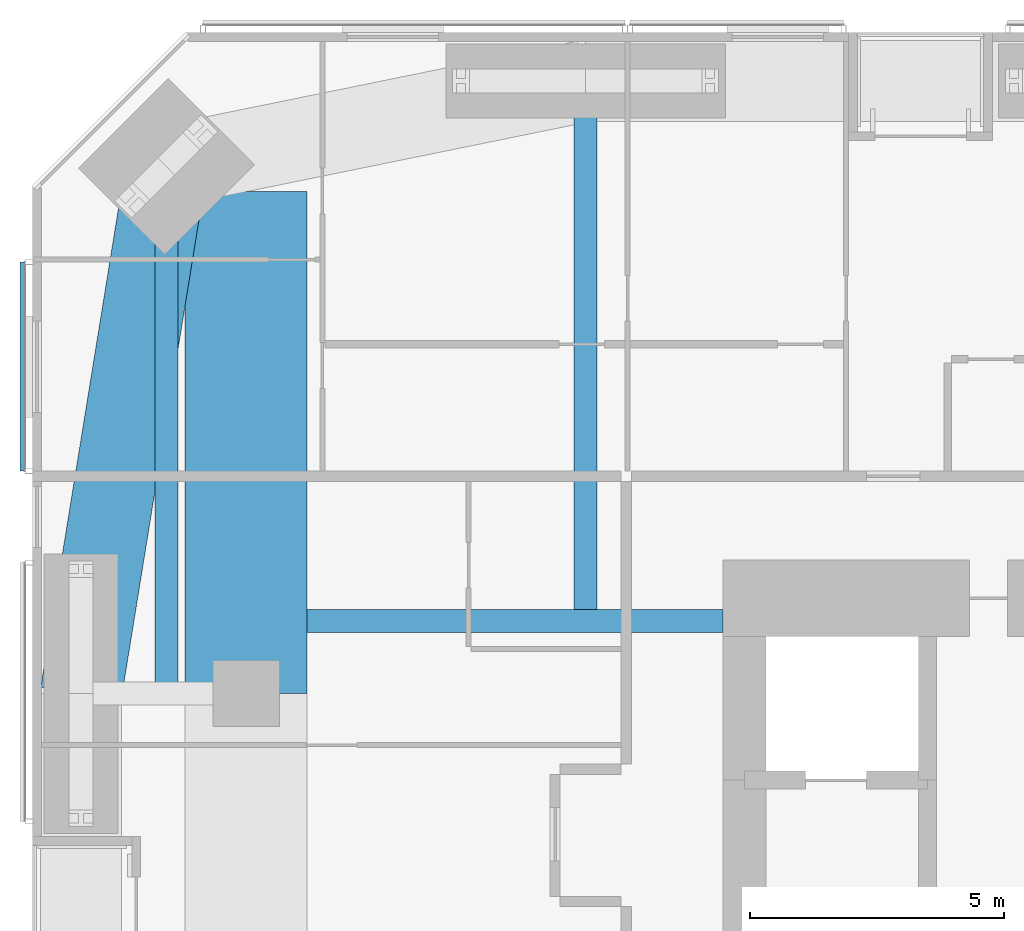
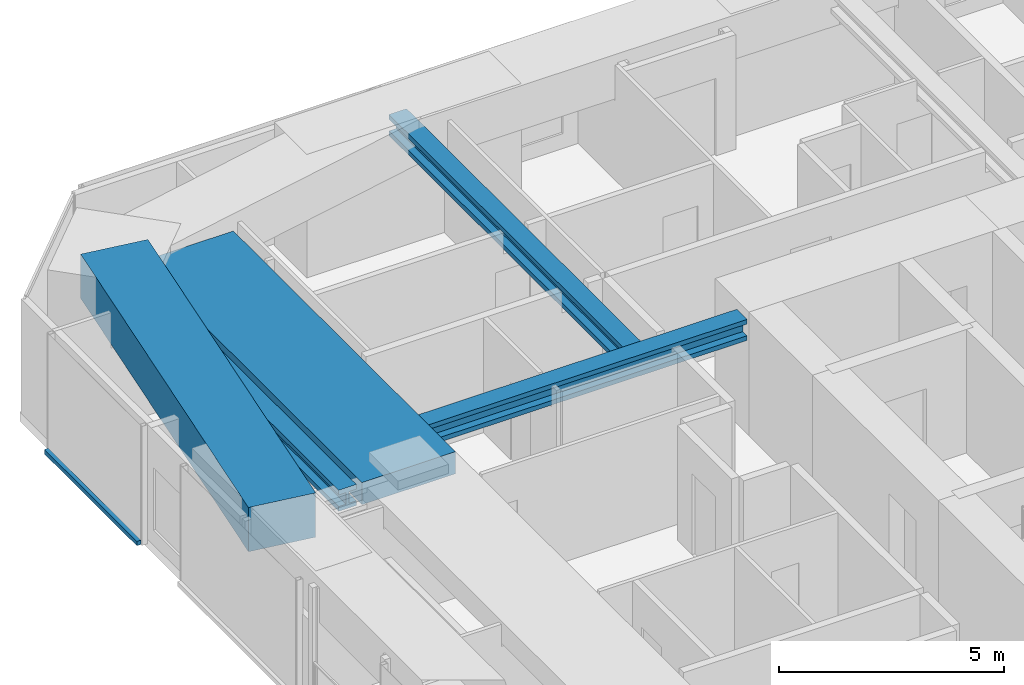
# One storey, part 7 of 24: 5 beams, 1 member, 1 element without a shape of its own.
"""IFC4 building model written with IfcOpenShell, lengths in metres."""

from ifc_helpers import new_model, si_unit, direction, frame, origin, origin_2d, place, context, subcontext, project, spatial, rectangle, i_section, extrude, material, material_profile, profile_set, type_object, element, aggregate, save


model = new_model("IFC4")

# Units and contexts
model_context = context("Model", 3, precision=1e-05, world=origin(), true_north=direction((0.0, 1.0)))
body_context = subcontext(model_context, "Body", "Model", "MODEL_VIEW")
ifc_project = project(units=[si_unit("LENGTHUNIT", "METRE"), si_unit("AREAUNIT", "SQUARE_METRE"), si_unit("VOLUMEUNIT", "CUBIC_METRE"), si_unit("PLANEANGLEUNIT", "RADIAN"), si_unit("MASSUNIT", "GRAM", prefix="KILO")], contexts=[model_context])

# Site, building, storey
site_placement = place(None, origin())
site = spatial("IfcSite", under=ifc_project, at=site_placement, CompositionType="ELEMENT")
building_placement = place(site_placement, origin())
building = spatial("IfcBuilding", under=site, at=building_placement, Name="Jalousie Tower", CompositionType="ELEMENT")
storey_placement = place(building_placement, frame((0.0, 0.0, 124.949951171875)))
storey = spatial("IfcBuildingStorey", under=building, at=storey_placement, Name="L34", CompositionType="ELEMENT", Elevation=124.949951171875)

# Beams
ifc_material_1 = material(Name="Steel ASTM A992 Grade 50", Category="steel")
ifc_material_profile_1 = material_profile(ifc_material_1, i_section(OverallWidth=0.45458984375, OverallDepth=0.569091796875, WebThickness=0.077880859375, FlangeThickness=0.124755859375, at=origin_2d()), Name="W14X730")
ifc_profile_set_1 = profile_set([ifc_material_profile_1], Name="Steel ASTM A992 Grade 50")
beam_type_1 = type_object("IfcBeamType", Name="LEAN COLLECTOR W14X730", PredefinedType="BEAM", material=ifc_profile_set_1)
beam_1_placement = place(storey_placement, frame((11.39990234375, 26.425048828125, 2.825439453125), z_axis=(1.0, 0.0, 0.0), x_axis=(0.0, 1.0, 0.0)))
element("IfcBeam", 1, at=beam_1_placement, inside=storey, type_object=beam_type_1, Name="Lean collector under L35", PredefinedType="BEAM", context=body_context, shape_type="SweptSolid", body=[
    extrude(i_section(OverallWidth=0.45458984375, OverallDepth=0.569091796875, WebThickness=0.077880859375, FlangeThickness=0.124755859375, at=origin_2d()), origin(), (0.0, 0.0, 1.0), 8.175048828125),
])
beam_2_placement = place(storey_placement, frame((8.63134765625, 35.36865234375, 2.825439453125), z_axis=(0.0, -1.0, 0.0), x_axis=(1.0, 0.0, 0.0)))
element("IfcBeam", 2, at=beam_2_placement, inside=storey, type_object=beam_type_1, Name="Lean collector under L35", PredefinedType="BEAM", context=body_context, shape_type="SweptSolid", body=[
    extrude(i_section(OverallWidth=0.45458984375, OverallDepth=0.569091796875, WebThickness=0.077880859375, FlangeThickness=0.124755859375, at=origin_2d()), origin(), (0.0, 0.0, 1.0), 10.36865234375),
])
beam_3_placement = place(storey_placement, frame((16.875, 37.050048828125, 2.825439453125), z_axis=(0.0, -1.0, 0.0), x_axis=(1.0, 0.0, 0.0)))
element("IfcBeam", 3, at=beam_3_placement, inside=storey, type_object=beam_type_1, Name="Lean collector under L35", PredefinedType="BEAM", context=body_context, shape_type="SweptSolid", body=[
    extrude(i_section(OverallWidth=0.45458984375, OverallDepth=0.569091796875, WebThickness=0.077880859375, FlangeThickness=0.124755859375, at=origin_2d()), origin(), (0.0, 0.0, 1.0), 10.625),
])
ifc_material_2 = material(Name="Concrete f'c 40 MPa", Category="concrete")
ifc_material_profile_2 = material_profile(ifc_material_2, rectangle(XDim=1.60009765625, YDim=1.199951171875, at=origin_2d()), Name="RC 1600x1200")
ifc_profile_set_2 = profile_set([ifc_material_profile_2], Name="Concrete f'c 40 MPa")
beam_type_2 = type_object("IfcBeamType", Name="RC BEAM 1600x1200", PredefinedType="BEAM", material=ifc_profile_set_2)
beam_4_placement = place(storey_placement, frame((8.63134765625, 35.36865234375, 2.75), z_axis=(-0.160070546476, -0.987105577003, 0.0), x_axis=(0.987105577003, -0.160070546476, 0.0)))
element("IfcBeam", 4, at=beam_4_placement, inside=storey, type_object=beam_type_2, Name="Edge band beam 12-13 under L35", PredefinedType="BEAM", context=body_context, shape_type="SweptSolid", body=[
    extrude(rectangle(XDim=1.60009765625, YDim=1.199951171875, at=origin_2d()), origin(), (0.0, 0.0, 1.0), 10.504150390625),
])
ifc_material_3 = material(Name="Concrete f'c 40 MPa", Category="concrete")
ifc_material_profile_3 = material_profile(ifc_material_3, rectangle(XDim=2.39990234375, YDim=0.60009765625, at=origin_2d()), Name="RC 2400x600")
ifc_profile_set_3 = profile_set([ifc_material_profile_3], Name="Concrete f'c 40 MPa")
beam_type_3 = type_object("IfcBeamType", Name="RC BEAM 2400x600", PredefinedType="BEAM", material=ifc_profile_set_3)
beam_5_placement = place(storey_placement, frame((10.199951171875, 25.0, 2.81005859375), z_axis=(0.0, 1.0, 0.0), x_axis=(-1.0, 0.0, 0.0)))
element("IfcBeam", 5, at=beam_5_placement, inside=storey, type_object=beam_type_3, Name="Floor band beam under L35", PredefinedType="BEAM", context=body_context, shape_type="SweptSolid", body=[
    extrude(rectangle(XDim=2.39990234375, YDim=0.60009765625, at=origin_2d()), origin(), (0.0, 0.0, 1.0), 9.8720703125),
])

# Curtain wall, member
ifc_material_4 = material(Name="Perforated aluminium sheet", Category="aluminium")
curtain_wall_type = type_object("IfcCurtainWallType", Name="SOLAR SCREEN SS-1", PredefinedType="USERDEFINED", material=ifc_material_4)
curtain_wall_placement = place(storey_placement, origin())
curtain_wall = element("IfcCurtainWall", 6, at=curtain_wall_placement, inside=storey, type_object=curtain_wall_type, Name="Solar screen L34", ObjectType="SOLAR SCREEN SS-1", PredefinedType="USERDEFINED")
ifc_material_5 = material(Name="Extruded aluminium screen rail", Category="aluminium")
ifc_material_profile_4 = material_profile(ifc_material_5, rectangle(XDim=0.1015625, YDim=0.1201171875, at=origin_2d()), Name="RAIL 102x120")
ifc_profile_set_4 = profile_set([ifc_material_profile_4], Name="Extruded aluminium screen rail")
member_type = type_object("IfcMemberType", Name="SOLAR SCREEN SS-1 TRANSOM", PredefinedType="USERDEFINED", material=ifc_profile_set_4)
member_placement = place(storey_placement, frame((5.8017578125, 33.486083984375, -0.06005859375), z_axis=(0.0, -1.0, 0.0), x_axis=(1.0, 0.0, 0.0)))
member = element("IfcMember", 7, at=member_placement, type_object=member_type, Name="SS1 rail", ObjectType="TRANSOM", PredefinedType="USERDEFINED", context=body_context, shape_type="SweptSolid", body=[
    extrude(rectangle(XDim=0.1015625, YDim=0.1201171875, at=origin_2d()), origin(), (0.0, 0.0, 1.0), 4.111083984375),
])
aggregate(curtain_wall, [member])

save(model, "model.ifc")
